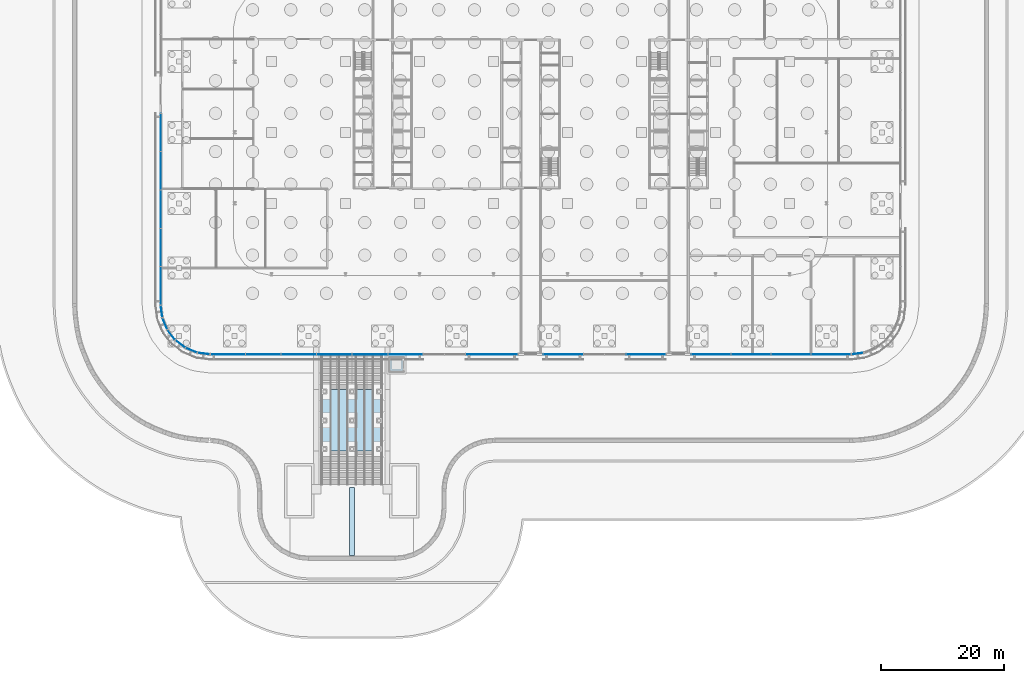
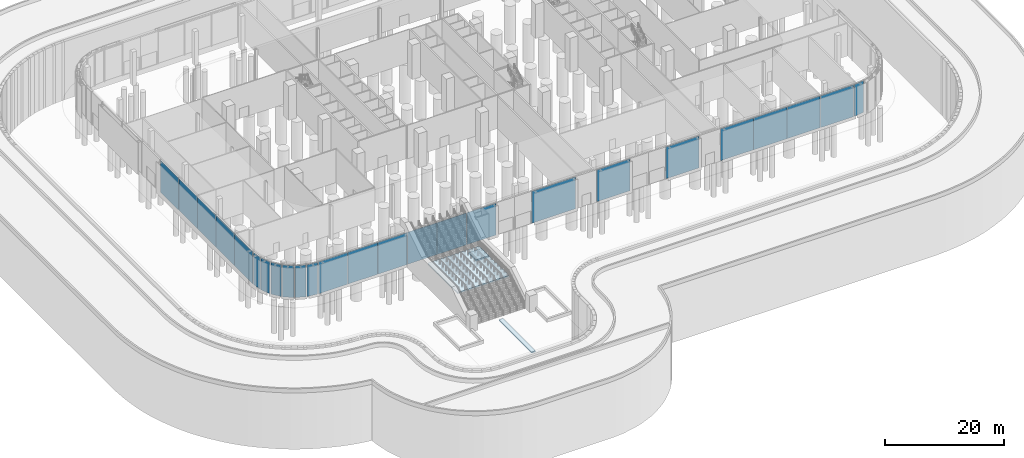
# One storey, part 14 of 48: 26 plates, 2 slabs, 14 elements without a shape of their own.
"""IFC4 building model written with IfcOpenShell, lengths in metres."""

import ifcopenshell
import ifcopenshell.guid

model = None  # the IFC model being written
_history = None  # IfcOwnerHistory: only IFC2X3 demands one
_inside = {}  # id of a spatial element -> (the spatial element, [elements in it])
_under = {}  # id of a project, library or spatial element -> (it, [spatial elements below it])
_declared = {}  # id of a project -> (the project, [libraries it declares])
_typed = {}  # id of a type object -> (the type object, [elements of that type])
_made_of = {}  # id of a material, layer set ... -> (it, [elements and type objects made of it])


def new_model(schema):
    """Start an empty IFC model of exactly this schema.

    Asked for "IFC4X3", IfcOpenShell would pick the latest addendum, in which some entities
    have other attributes; the version numbers below select the first issue.
    IFC2X3 requires an IfcOwnerHistory on every rooted entity: one is made here for all.
    """
    global model, _history
    if schema == "IFC4X3":
        model = ifcopenshell.file(schema_version=(4, 3, 0, 0))
    else:
        model = ifcopenshell.file(schema=schema)
    _inside.clear()
    _under.clear()
    _declared.clear()
    _typed.clear()
    _made_of.clear()
    _history = None
    if model.schema == "IFC2X3":
        org = make("IfcOrganization", Name="unknown")
        user = make(
            "IfcPersonAndOrganization",
            ThePerson=make("IfcPerson", FamilyName="unknown"),
            TheOrganization=org,
        )
        app = make(
            "IfcApplication",
            ApplicationDeveloper=org,
            Version="unknown",
            ApplicationFullName="unknown",
            ApplicationIdentifier="unknown",
        )
        _history = make(
            "IfcOwnerHistory",
            OwningUser=user,
            OwningApplication=app,
            ChangeAction="ADDED",
            CreationDate=0,
        )
    return model


def make(cls, **values):
    """One entity of the class cls with the attributes given. An attribute that is None is left unset."""
    return model.create_entity(
        cls, **{name: value for name, value in values.items() if value is not None}
    )


def rooted(cls, **values):
    """An entity with a GlobalId (a new one), such as an element, a storey or a relation."""
    return make(cls, GlobalId=ifcopenshell.guid.new(), OwnerHistory=_history, **values)


def si_unit(unit_type, name, prefix=None):
    """IfcSIUnit, for example si_unit("LENGTHUNIT", "METRE", prefix="MILLI")."""
    return make("IfcSIUnit", UnitType=unit_type, Prefix=prefix, Name=name)


def assignment(units):
    """IfcUnitAssignment: the units of a project."""
    return None if units is None else make("IfcUnitAssignment", Units=units)


def point(xyz):
    """IfcCartesianPoint."""
    return None if xyz is None else make("IfcCartesianPoint", Coordinates=xyz)


def direction(xyz):
    """IfcDirection."""
    return None if xyz is None else make("IfcDirection", DirectionRatios=xyz)


def frame(location, z_axis=None, x_axis=None):
    """IfcAxis2Placement3D, a coordinate frame: its origin and axes. An axis left out is left unset."""
    return make(
        "IfcAxis2Placement3D",
        Location=point(location),
        Axis=direction(z_axis),
        RefDirection=direction(x_axis),
    )


def frame_2d(location, x_axis=None):
    """IfcAxis2Placement2D, a coordinate frame in the plane: its origin and x axis."""
    return make(
        "IfcAxis2Placement2D", Location=point(location), RefDirection=direction(x_axis)
    )


def origin():
    """The frame at (0, 0, 0) with its axes left unset."""
    return frame((0.0, 0.0, 0.0))


def origin_2d():
    """The frame at (0, 0) in the plane with its x axis left unset."""
    return frame_2d((0.0, 0.0))


def place(relative_to, where):
    """IfcLocalPlacement: puts the frame where relative to a parent placement (None: the world)."""
    return make(
        "IfcLocalPlacement", PlacementRelTo=relative_to, RelativePlacement=where
    )


def context(
    kind, dimensions, precision=None, world=None, true_north=None, identifier=None
):
    """IfcGeometricRepresentationContext, for example the 3D "Model" context."""
    return make(
        "IfcGeometricRepresentationContext",
        ContextIdentifier=identifier,
        ContextType=kind,
        CoordinateSpaceDimension=dimensions,
        Precision=precision,
        WorldCoordinateSystem=world,
        TrueNorth=true_north,
    )


def subcontext(parent, identifier, kind, view, scale=None):
    """IfcGeometricRepresentationSubContext, for example "Body" below "Model"."""
    return make(
        "IfcGeometricRepresentationSubContext",
        ContextIdentifier=identifier,
        ContextType=kind,
        ParentContext=parent,
        TargetScale=scale,
        TargetView=view,
    )


def project(units=None, contexts=None):
    """IfcProject with its units and contexts."""
    return rooted(
        "IfcProject",
        Name="project",
        RepresentationContexts=contexts,
        UnitsInContext=assignment(units),
    )


def spatial(cls, under=None, at=None, **own):
    """A site, building, storey or space (cls), placed at a placement, below another one or the project."""
    s = rooted(cls, ObjectPlacement=at, **own)
    if under is not None:
        _under.setdefault(under.id(), (under, []))[1].append(s)
    return s


def polyline(points):
    """IfcPolyline through the points."""
    return make("IfcPolyline", Points=[point(p) for p in points])


def profile(cls, at=None, kind="AREA", **sizes):
    """A parametric profile (cls). Its sizes go by their IFC names, for example OverallWidth=200.0."""
    return make(cls, ProfileType=kind, Position=at, **sizes)


def rectangle(**sizes):
    """IfcRectangleProfileDef."""
    return profile("IfcRectangleProfileDef", **sizes)


def outline(outer, holes=None, kind="AREA"):
    """IfcArbitraryClosedProfileDef: a profile drawn as a closed curve; with holes, ...WithVoids."""
    if holes is None:
        return make("IfcArbitraryClosedProfileDef", ProfileType=kind, OuterCurve=outer)
    return make(
        "IfcArbitraryProfileDefWithVoids",
        ProfileType=kind,
        OuterCurve=outer,
        InnerCurves=holes,
    )


def extrude(swept, where, along, depth):
    """IfcExtrudedAreaSolid: the profile swept, set in the frame where, extruded along a direction by depth."""
    return make(
        "IfcExtrudedAreaSolid",
        SweptArea=swept,
        Position=where,
        ExtrudedDirection=direction(along),
        Depth=depth,
    )


def shape(context_of_items, identifier, shape_type, items):
    """IfcShapeRepresentation: the items that make up one representation, for example the "Body"."""
    return make(
        "IfcShapeRepresentation",
        ContextOfItems=context_of_items,
        RepresentationIdentifier=identifier,
        RepresentationType=shape_type,
        Items=items,
    )


def material(Name=None, Category=None):
    """IfcMaterial."""
    return make("IfcMaterial", Name=Name, Category=Category)


def layer(
    of_material, thickness, ventilated=None, Name=None, Category=None, Priority=None
):
    """IfcMaterialLayer: one layer of a wall or slab, of a material (None: an air gap)."""
    return make(
        "IfcMaterialLayer",
        Material=of_material,
        LayerThickness=thickness,
        IsVentilated=ventilated,
        Name=Name,
        Category=Category,
        Priority=Priority,
    )


def layer_set(layers, Name=None):
    """IfcMaterialLayerSet."""
    return make("IfcMaterialLayerSet", MaterialLayers=layers, LayerSetName=Name)


def made_of(thing, what):
    """Note that an element or type object is made of a material, layer set ...; save() writes the relation."""
    if what is not None:
        _made_of.setdefault(what.id(), (what, []))[1].append(thing)
    return thing


def type_object(cls, material=None, **own):
    """A type object (cls), such as IfcWallType, which elements share."""
    return made_of(rooted(cls, **own), material)


def element(
    cls,
    number,
    at=None,
    inside=None,
    cuts=None,
    type_object=None,
    material=None,
    context=None,
    identifier="Body",
    shape_type=None,
    held_by="IfcProductDefinitionShape",
    body=None,
    shapes=None,
    **own,
):
    """One element of the class cls, such as IfcWall. Its Tag is "e" and its number.

    at: its placement. inside: the storey or other place that contains it. cuts: it is an
    opening in that element (IfcRelVoidsElement). A single representation is given by context,
    identifier, shape_type and body (its items); several are given by shapes. held_by: the class
    of the entity that holds the representations. save() writes the other relations.
    """
    e = rooted(cls, Tag="e%d" % number, ObjectPlacement=at, **own)
    if body is not None:
        shapes = [shape(context, identifier, shape_type, body)]
    if shapes is not None:
        e.Representation = make(held_by, Representations=shapes)
    if inside is not None:
        _inside.setdefault(inside.id(), (inside, []))[1].append(e)
    if cuts is not None:
        rooted(
            "IfcRelVoidsElement", RelatingBuildingElement=cuts, RelatedOpeningElement=e
        )
    if type_object is not None:
        _typed.setdefault(type_object.id(), (type_object, []))[1].append(e)
    return made_of(e, material)


def aggregate(whole, parts):
    """IfcRelAggregates: a whole, such as a stair, and the parts it consists of."""
    return rooted("IfcRelAggregates", RelatingObject=whole, RelatedObjects=parts)


def save(model, path):
    """Write the relations noted so far, then the file.

    IfcRelAggregates (storeys below a building ...), IfcRelContainedInSpatialStructure (elements
    in a storey), IfcRelDefinesByType, IfcRelAssociatesMaterial and IfcRelDeclares: one each for
    every whole, place, type object, material and project.
    """
    for whole, parts in _under.values():
        aggregate(whole, parts)
    for where, things in _inside.values():
        rooted(
            "IfcRelContainedInSpatialStructure",
            RelatedElements=things,
            RelatingStructure=where,
        )
    for kind, things in _typed.values():
        rooted("IfcRelDefinesByType", RelatedObjects=things, RelatingType=kind)
    for what, things in _made_of.values():
        rooted("IfcRelAssociatesMaterial", RelatedObjects=things, RelatingMaterial=what)
    for by, libraries in _declared.values():
        rooted("IfcRelDeclares", RelatingContext=by, RelatedDefinitions=libraries)
    model.write(path)


model = new_model("IFC4")

# Units and contexts
model_context = context("Model", 3, precision=1e-05, world=origin(), true_north=direction((0.0, 1.0)))
body_context = subcontext(model_context, "Body", "Model", "MODEL_VIEW")
ifc_project = project(units=[si_unit("LENGTHUNIT", "METRE"), si_unit("AREAUNIT", "SQUARE_METRE"), si_unit("VOLUMEUNIT", "CUBIC_METRE"), si_unit("PLANEANGLEUNIT", "RADIAN"), si_unit("MASSUNIT", "GRAM", prefix="KILO")], contexts=[model_context])

# Site, building, storey
site_placement = place(None, origin())
site = spatial("IfcSite", under=ifc_project, at=site_placement, CompositionType="ELEMENT")
building_placement = place(site_placement, origin())
building = spatial("IfcBuilding", under=site, at=building_placement, Name="Mahtab Terrace Research Tower", CompositionType="ELEMENT")
storey_placement = place(building_placement, origin())
storey = spatial("IfcBuildingStorey", under=building, at=storey_placement, Name="G", CompositionType="ELEMENT", Elevation=0.0)

# Plate
ifc_material_1 = material(Name="Water feature lining")
ifc_layer_1 = layer(ifc_material_1, 0.25)
ifc_layer_set_1 = layer_set([ifc_layer_1], Name="Forecourt rill lining 800")
plate_type_1 = type_object("IfcPlateType", Name="Forecourt rill lining 800", PredefinedType="USERDEFINED", material=ifc_layer_set_1)
plate_1_placement = place(storey_placement, frame((0.0, 0.0, -0.31005859375)))
element("IfcPlate", 1, at=plate_1_placement, inside=storey, type_object=plate_type_1, Name="Forecourt rill 1", ObjectType="WATER CHANNEL", PredefinedType="USERDEFINED", context=body_context, shape_type="SweptSolid", body=[
    extrude(outline(polyline([(-29.39990234375, -68.614990234375), (-29.39990234375, -57.614990234375), (-28.60009765625, -57.614990234375), (-28.60009765625, -68.614990234375), (-29.39990234375, -68.614990234375)])), origin(), (0.0, 0.0, 1.0), 0.239990234375),
])

# Curtain wall, plates
ifc_material_2 = material(Name="Ground lobby curtain wall")
curtain_wall_type = type_object("IfcCurtainWallType", Name="Ground lobby curtain wall", PredefinedType="NOTDEFINED", material=ifc_material_2)
curtain_wall_1_placement = place(storey_placement, origin())
curtain_wall_1 = element("IfcCurtainWall", 2, at=curtain_wall_1_placement, inside=storey, type_object=curtain_wall_type, Name="EN.G.12.4", PredefinedType="NOTDEFINED")
ifc_material_3 = material(Name="Dark glazing", Category="glass")
ifc_layer_2 = layer(ifc_material_3, 0.0439453125)
ifc_layer_set_2 = layer_set([ifc_layer_2], Name="Ground lobby curtain wall glazing panel")
plate_type_2 = type_object("IfcPlateType", Name="Ground lobby curtain wall glazing panel", PredefinedType="CURTAIN_PANEL", material=ifc_layer_set_2)
plate_2_placement = place(storey_placement, frame((-60.0, 0.014892578125, 0.0), z_axis=(0.0, 0.0, 1.0), x_axis=(0.0, -1.0, 0.0)))
plate_2 = element("IfcPlate", 3, at=plate_2_placement, type_object=plate_type_2, Name="CWG-1 panel 1", PredefinedType="CURTAIN_PANEL", context=body_context, shape_type="SweptSolid", body=[
    extrude(rectangle(XDim=6.110107421875, YDim=0.0439453125, at=origin_2d()), origin(), (0.0, 0.0, 1.0), 6.56005859375),
])
plate_3_placement = place(storey_placement, frame((-60.0, -6.195068359375, 0.0), z_axis=(0.0, 0.0, 1.0), x_axis=(0.0, -1.0, 0.0)))
plate_3 = element("IfcPlate", 4, at=plate_3_placement, type_object=plate_type_2, Name="CWG-1 panel 2", PredefinedType="CURTAIN_PANEL", context=body_context, shape_type="SweptSolid", body=[
    extrude(rectangle(XDim=6.14990234375, YDim=0.0439453125, at=origin_2d()), origin(), (0.0, 0.0, 1.0), 6.56005859375),
])
plate_4_placement = place(storey_placement, frame((-60.0, -12.425048828125, 0.0), z_axis=(0.0, 0.0, 1.0), x_axis=(0.0, -1.0, 0.0)))
plate_4 = element("IfcPlate", 5, at=plate_4_placement, type_object=plate_type_2, Name="CWG-1 panel 3", PredefinedType="CURTAIN_PANEL", context=body_context, shape_type="SweptSolid", body=[
    extrude(rectangle(XDim=6.14990234375, YDim=0.0439453125, at=origin_2d()), origin(), (0.0, 0.0, 1.0), 6.56005859375),
])
plate_5_placement = place(storey_placement, frame((-60.0, -18.655029296875, 0.0), z_axis=(0.0, 0.0, 1.0), x_axis=(0.0, -1.0, 0.0)))
plate_5 = element("IfcPlate", 6, at=plate_5_placement, type_object=plate_type_2, Name="CWG-1 panel 4", PredefinedType="CURTAIN_PANEL", context=body_context, shape_type="SweptSolid", body=[
    extrude(rectangle(XDim=6.14990234375, YDim=0.0439453125, at=origin_2d()), origin(), (0.0, 0.0, 1.0), 6.56005859375),
])
plate_6_placement = place(storey_placement, frame((-60.0, -24.864990234375, 0.0), z_axis=(0.0, 0.0, 1.0), x_axis=(0.0, -1.0, 0.0)))
plate_6 = element("IfcPlate", 7, at=plate_6_placement, type_object=plate_type_2, Name="CWG-1 panel 5", PredefinedType="CURTAIN_PANEL", context=body_context, shape_type="SweptSolid", body=[
    extrude(rectangle(XDim=6.110107421875, YDim=0.0439453125, at=origin_2d()), origin(), (0.0, 0.0, 1.0), 6.56005859375),
])
aggregate(curtain_wall_1, [plate_2, plate_3, plate_4, plate_5, plate_6])

# Curtain wall, plate
curtain_wall_2_placement = place(storey_placement, origin())
curtain_wall_2 = element("IfcCurtainWall", 8, at=curtain_wall_2_placement, inside=storey, type_object=curtain_wall_type, Name="EN.G.13.0", PredefinedType="NOTDEFINED")
plate_7_placement = place(storey_placement, frame((-59.863525390625, -29.035400390625, 0.0), z_axis=(0.0, 0.0, 1.0), x_axis=(0.130689793992, -0.991423309059, 0.0)))
plate_7 = element("IfcPlate", 9, at=plate_7_placement, type_object=plate_type_2, Name="CWG-1 panel 1", PredefinedType="CURTAIN_PANEL", context=body_context, shape_type="SweptSolid", body=[
    extrude(rectangle(XDim=1.928955078125, YDim=0.0439453125, at=origin_2d()), origin(), (0.0, 0.0, 1.0), 6.56005859375),
])
aggregate(curtain_wall_2, [plate_7])

curtain_wall_3_placement = place(storey_placement, origin())
curtain_wall_3 = element("IfcCurtainWall", 10, at=curtain_wall_3_placement, inside=storey, type_object=curtain_wall_type, Name="EN.G.14.0", PredefinedType="NOTDEFINED")
plate_8_placement = place(storey_placement, frame((-59.327392578125, -31.035400390625, 0.0), z_axis=(0.0, 0.0, 1.0), x_axis=(0.382676089485, -0.923882573998, 0.0)))
plate_8 = element("IfcPlate", 11, at=plate_8_placement, type_object=plate_type_2, Name="CWG-1 panel 1", PredefinedType="CURTAIN_PANEL", context=body_context, shape_type="SweptSolid", body=[
    extrude(rectangle(XDim=1.927978515625, YDim=0.0439453125, at=origin_2d()), origin(), (0.0, 0.0, 1.0), 6.56005859375),
])
aggregate(curtain_wall_3, [plate_8])

curtain_wall_4_placement = place(storey_placement, origin())
curtain_wall_4 = element("IfcCurtainWall", 12, at=curtain_wall_4_placement, inside=storey, type_object=curtain_wall_type, Name="EN.G.15.0", PredefinedType="NOTDEFINED")
plate_9_placement = place(storey_placement, frame((-58.29248046875, -32.82861328125, 0.0), z_axis=(0.0, 0.0, 1.0), x_axis=(0.60862253119, -0.793459901021, 0.0)))
plate_9 = element("IfcPlate", 13, at=plate_9_placement, type_object=plate_type_2, Name="CWG-1 panel 1", PredefinedType="CURTAIN_PANEL", context=body_context, shape_type="SweptSolid", body=[
    extrude(rectangle(XDim=1.92822265625, YDim=0.0439453125, at=origin_2d()), origin(), (0.0, 0.0, 1.0), 6.56005859375),
])
aggregate(curtain_wall_4, [plate_9])

curtain_wall_5_placement = place(storey_placement, origin())
curtain_wall_5 = element("IfcCurtainWall", 14, at=curtain_wall_5_placement, inside=storey, type_object=curtain_wall_type, Name="EN.G.16.0", PredefinedType="NOTDEFINED")
plate_10_placement = place(storey_placement, frame((-56.82861328125, -34.29248046875, 0.0), z_axis=(0.0, 0.0, 1.0), x_axis=(0.793459901021, -0.60862253119, 0.0)))
plate_10 = element("IfcPlate", 15, at=plate_10_placement, type_object=plate_type_2, Name="CWG-1 panel 1", PredefinedType="CURTAIN_PANEL", context=body_context, shape_type="SweptSolid", body=[
    extrude(rectangle(XDim=1.92822265625, YDim=0.0439453125, at=origin_2d()), origin(), (0.0, 0.0, 1.0), 6.56005859375),
])
aggregate(curtain_wall_5, [plate_10])

curtain_wall_6_placement = place(storey_placement, origin())
curtain_wall_6 = element("IfcCurtainWall", 16, at=curtain_wall_6_placement, inside=storey, type_object=curtain_wall_type, Name="EN.G.17.0", PredefinedType="NOTDEFINED")
plate_11_placement = place(storey_placement, frame((-55.035400390625, -35.327392578125, 0.0), z_axis=(0.0, 0.0, 1.0), x_axis=(0.923882573998, -0.382676089485, 0.0)))
plate_11 = element("IfcPlate", 17, at=plate_11_placement, type_object=plate_type_2, Name="CWG-1 panel 1", PredefinedType="CURTAIN_PANEL", context=body_context, shape_type="SweptSolid", body=[
    extrude(rectangle(XDim=1.927978515625, YDim=0.0439453125, at=origin_2d()), origin(), (0.0, 0.0, 1.0), 6.56005859375),
])
aggregate(curtain_wall_6, [plate_11])

curtain_wall_7_placement = place(storey_placement, origin())
curtain_wall_7 = element("IfcCurtainWall", 18, at=curtain_wall_7_placement, inside=storey, type_object=curtain_wall_type, Name="EN.G.18.0", PredefinedType="NOTDEFINED")
plate_12_placement = place(storey_placement, frame((-53.035400390625, -35.863525390625, 0.0), z_axis=(0.0, 0.0, 1.0), x_axis=(0.991423309059, -0.130689793992, 0.0)))
plate_12 = element("IfcPlate", 19, at=plate_12_placement, type_object=plate_type_2, Name="CWG-1 panel 1", PredefinedType="CURTAIN_PANEL", context=body_context, shape_type="SweptSolid", body=[
    extrude(rectangle(XDim=1.928955078125, YDim=0.0439453125, at=origin_2d()), origin(), (0.0, 0.0, 1.0), 6.56005859375),
])
aggregate(curtain_wall_7, [plate_12])

# Curtain wall, plates
curtain_wall_8_placement = place(storey_placement, origin())
curtain_wall_8 = element("IfcCurtainWall", 20, at=curtain_wall_8_placement, inside=storey, type_object=curtain_wall_type, Name="EN.G.19.0", PredefinedType="NOTDEFINED")
plate_13_placement = place(storey_placement, frame((-49.0966796875, -36.0, 0.0), z_axis=(0.0, 0.0, 1.0), x_axis=(1.0, 0.0, 0.0)))
plate_13 = element("IfcPlate", 21, at=plate_13_placement, type_object=plate_type_2, Name="CWG-1 panel 1", PredefinedType="CURTAIN_PANEL", context=body_context, shape_type="SweptSolid", body=[
    extrude(rectangle(XDim=5.646728515625, YDim=0.0439453125, at=origin_2d()), origin(), (0.0, 0.0, 1.0), 6.56005859375),
])
plate_14_placement = place(storey_placement, frame((-43.35009765625, -36.0, 0.0), z_axis=(0.0, 0.0, 1.0), x_axis=(1.0, 0.0, 0.0)))
plate_14 = element("IfcPlate", 22, at=plate_14_placement, type_object=plate_type_2, Name="CWG-1 panel 2", PredefinedType="CURTAIN_PANEL", context=body_context, shape_type="SweptSolid", body=[
    extrude(rectangle(XDim=5.686767578125, YDim=0.0439453125, at=origin_2d()), origin(), (0.0, 0.0, 1.0), 6.56005859375),
])
plate_15_placement = place(storey_placement, frame((-37.583251953125, -36.0, 0.0), z_axis=(0.0, 0.0, 1.0), x_axis=(1.0, 0.0, 0.0)))
plate_15 = element("IfcPlate", 23, at=plate_15_placement, type_object=plate_type_2, Name="CWG-1 panel 3", PredefinedType="CURTAIN_PANEL", context=body_context, shape_type="SweptSolid", body=[
    extrude(rectangle(XDim=5.686767578125, YDim=0.0439453125, at=origin_2d()), origin(), (0.0, 0.0, 1.0), 6.56005859375),
])
plate_16_placement = place(storey_placement, frame((-31.816650390625, -36.0, 0.0), z_axis=(0.0, 0.0, 1.0), x_axis=(1.0, 0.0, 0.0)))
plate_16 = element("IfcPlate", 24, at=plate_16_placement, type_object=plate_type_2, Name="CWG-1 panel 4", PredefinedType="CURTAIN_PANEL", context=body_context, shape_type="SweptSolid", body=[
    extrude(rectangle(XDim=5.686767578125, YDim=0.0439453125, at=origin_2d()), origin(), (0.0, 0.0, 1.0), 6.56005859375),
])
plate_17_placement = place(storey_placement, frame((-26.050048828125, -36.0, 0.0), z_axis=(0.0, 0.0, 1.0), x_axis=(1.0, 0.0, 0.0)))
plate_17 = element("IfcPlate", 25, at=plate_17_placement, type_object=plate_type_2, Name="CWG-1 panel 5", PredefinedType="CURTAIN_PANEL", context=body_context, shape_type="SweptSolid", body=[
    extrude(rectangle(XDim=5.686767578125, YDim=0.0439453125, at=origin_2d()), origin(), (0.0, 0.0, 1.0), 6.56005859375),
])
plate_18_placement = place(storey_placement, frame((-20.30322265625, -36.0, 0.0), z_axis=(0.0, 0.0, 1.0), x_axis=(1.0, 0.0, 0.0)))
plate_18 = element("IfcPlate", 26, at=plate_18_placement, type_object=plate_type_2, Name="CWG-1 panel 6", PredefinedType="CURTAIN_PANEL", context=body_context, shape_type="SweptSolid", body=[
    extrude(rectangle(XDim=5.646728515625, YDim=0.0439453125, at=origin_2d()), origin(), (0.0, 0.0, 1.0), 6.56005859375),
])
aggregate(curtain_wall_8, [plate_13, plate_14, plate_15, plate_16, plate_17, plate_18])

# Curtain wall, plate
curtain_wall_9_placement = place(storey_placement, origin())
curtain_wall_9 = element("IfcCurtainWall", 27, at=curtain_wall_9_placement, inside=storey, type_object=curtain_wall_type, Name="EN.G.19.3", PredefinedType="NOTDEFINED")
plate_19_placement = place(storey_placement, frame((-6.300048828125, -36.0, 0.0), z_axis=(0.0, 0.0, 1.0), x_axis=(1.0, 0.0, 0.0)))
plate_19 = element("IfcPlate", 28, at=plate_19_placement, type_object=plate_type_2, Name="CWG-1 panel 1", PredefinedType="CURTAIN_PANEL", context=body_context, shape_type="SweptSolid", body=[
    extrude(rectangle(XDim=8.43994140625, YDim=0.0439453125, at=origin_2d()), origin(), (0.0, 0.0, 1.0), 6.56005859375),
])
aggregate(curtain_wall_9, [plate_19])

curtain_wall_10_placement = place(storey_placement, origin())
curtain_wall_10 = element("IfcCurtainWall", 29, at=curtain_wall_10_placement, inside=storey, type_object=curtain_wall_type, Name="EN.G.19.5", PredefinedType="NOTDEFINED")
plate_20_placement = place(storey_placement, frame((5.300048828125, -36.0, 0.0), z_axis=(0.0, 0.0, 1.0), x_axis=(1.0, 0.0, 0.0)))
plate_20 = element("IfcPlate", 30, at=plate_20_placement, type_object=plate_type_2, Name="CWG-1 panel 1", PredefinedType="CURTAIN_PANEL", context=body_context, shape_type="SweptSolid", body=[
    extrude(rectangle(XDim=6.43994140625, YDim=0.0439453125, at=origin_2d()), origin(), (0.0, 0.0, 1.0), 6.56005859375),
])
aggregate(curtain_wall_10, [plate_20])

curtain_wall_11_placement = place(storey_placement, origin())
curtain_wall_11 = element("IfcCurtainWall", 31, at=curtain_wall_11_placement, inside=storey, type_object=curtain_wall_type, Name="EN.G.19.8", PredefinedType="NOTDEFINED")
plate_21_placement = place(storey_placement, frame((18.699951171875, -36.0, 0.0), z_axis=(0.0, 0.0, 1.0), x_axis=(1.0, 0.0, 0.0)))
plate_21 = element("IfcPlate", 32, at=plate_21_placement, type_object=plate_type_2, Name="CWG-1 panel 1", PredefinedType="CURTAIN_PANEL", context=body_context, shape_type="SweptSolid", body=[
    extrude(rectangle(XDim=6.43994140625, YDim=0.0439453125, at=origin_2d()), origin(), (0.0, 0.0, 1.0), 6.56005859375),
])
aggregate(curtain_wall_11, [plate_21])

# Curtain wall, plates
curtain_wall_12_placement = place(storey_placement, origin())
curtain_wall_12 = element("IfcCurtainWall", 33, at=curtain_wall_12_placement, inside=storey, type_object=curtain_wall_type, Name="EN.G.19.10", PredefinedType="NOTDEFINED")
plate_22_placement = place(storey_placement, frame((29.27001953125, -36.0, 0.0), z_axis=(0.0, 0.0, 1.0), x_axis=(1.0, 0.0, 0.0)))
plate_22 = element("IfcPlate", 34, at=plate_22_placement, type_object=plate_type_2, Name="CWG-1 panel 1", PredefinedType="CURTAIN_PANEL", context=body_context, shape_type="SweptSolid", body=[
    extrude(rectangle(XDim=6.3798828125, YDim=0.0439453125, at=origin_2d()), origin(), (0.0, 0.0, 1.0), 6.56005859375),
])
plate_23_placement = place(storey_placement, frame((35.75, -36.0, 0.0), z_axis=(0.0, 0.0, 1.0), x_axis=(1.0, 0.0, 0.0)))
plate_23 = element("IfcPlate", 35, at=plate_23_placement, type_object=plate_type_2, Name="CWG-1 panel 2", PredefinedType="CURTAIN_PANEL", context=body_context, shape_type="SweptSolid", body=[
    extrude(rectangle(XDim=6.419921875, YDim=0.0439453125, at=origin_2d()), origin(), (0.0, 0.0, 1.0), 6.56005859375),
])
plate_24_placement = place(storey_placement, frame((42.25, -36.0, 0.0), z_axis=(0.0, 0.0, 1.0), x_axis=(1.0, 0.0, 0.0)))
plate_24 = element("IfcPlate", 36, at=plate_24_placement, type_object=plate_type_2, Name="CWG-1 panel 3", PredefinedType="CURTAIN_PANEL", context=body_context, shape_type="SweptSolid", body=[
    extrude(rectangle(XDim=6.419921875, YDim=0.0439453125, at=origin_2d()), origin(), (0.0, 0.0, 1.0), 6.56005859375),
])
plate_25_placement = place(storey_placement, frame((48.72998046875, -36.0, 0.0), z_axis=(0.0, 0.0, 1.0), x_axis=(1.0, 0.0, 0.0)))
plate_25 = element("IfcPlate", 37, at=plate_25_placement, type_object=plate_type_2, Name="CWG-1 panel 4", PredefinedType="CURTAIN_PANEL", context=body_context, shape_type="SweptSolid", body=[
    extrude(rectangle(XDim=6.3798828125, YDim=0.0439453125, at=origin_2d()), origin(), (0.0, 0.0, 1.0), 6.56005859375),
])
aggregate(curtain_wall_12, [plate_22, plate_23, plate_24, plate_25])

# Curtain wall, plate
curtain_wall_13_placement = place(storey_placement, origin())
curtain_wall_13 = element("IfcCurtainWall", 38, at=curtain_wall_13_placement, inside=storey, type_object=curtain_wall_type, Name="EN.G.20.0", PredefinedType="NOTDEFINED")
plate_26_placement = place(storey_placement, frame((53.035400390625, -35.863525390625, 0.0), z_axis=(0.0, 0.0, 1.0), x_axis=(0.991423309059, 0.130689793992, 0.0)))
plate_26 = element("IfcPlate", 39, at=plate_26_placement, type_object=plate_type_2, Name="CWG-1 panel 1", PredefinedType="CURTAIN_PANEL", context=body_context, shape_type="SweptSolid", body=[
    extrude(rectangle(XDim=1.928955078125, YDim=0.0439453125, at=origin_2d()), origin(), (0.0, 0.0, 1.0), 6.56005859375),
])
aggregate(curtain_wall_13, [plate_26])

# Stair, slab
ifc_material_4 = material(Name="Public deck stair")
stair_type = type_object("IfcStairType", Name="Public deck stair", PredefinedType="STRAIGHT_RUN_STAIR", material=ifc_material_4)
stair_placement = place(storey_placement, origin())
stair = element("IfcStair", 40, at=stair_placement, inside=storey, type_object=stair_type, Name="Public deck stair PS1", PredefinedType="STRAIGHT_RUN_STAIR")
ifc_material_5 = material(Name="Concrete C40/50", Category="concrete")
ifc_layer_3 = layer(ifc_material_5, 0.300048828125)
ifc_layer_set_3 = layer_set([ifc_layer_3], Name="Public deck stair landing 300")
slab_type_1 = type_object("IfcSlabType", Name="Public deck stair landing 300", PredefinedType="LANDING", material=ifc_layer_set_3)
slab_1_placement = place(storey_placement, frame((0.0, 0.0, 3.212158203125)))
slab_1 = element("IfcSlab", 41, at=slab_1_placement, type_object=slab_type_1, Name="PS1 landing 1", PredefinedType="LANDING", context=body_context, shape_type="SweptSolid", body=[
    extrude(outline(polyline([(-34.0, -51.699951171875), (-24.0, -51.699951171875), (-24.0, -41.699951171875), (-34.0, -41.699951171875), (-34.0, -51.699951171875)])), origin(), (0.0, 0.0, 1.0), 0.300048828125),
])
aggregate(stair, [slab_1])

# Slab
ifc_layer_4 = layer(ifc_material_5, 0.300048828125)
ifc_layer_set_4 = layer_set([ifc_layer_4], Name="Public lift pit slab 300")
slab_type_2 = type_object("IfcSlabType", Name="Public lift pit slab 300", PredefinedType="BASESLAB", material=ifc_layer_set_4)
slab_2_placement = place(storey_placement, frame((0.0, 0.0, -1.699951171875)))
element("IfcSlab", 42, at=slab_2_placement, inside=storey, type_object=slab_type_2, Name="Public lift pit slab", PredefinedType="BASESLAB", context=body_context, shape_type="SweptSolid", body=[
    extrude(outline(polyline([(-23.0, -38.89990234375), (-20.5, -38.89990234375), (-20.5, -36.39990234375), (-23.0, -36.39990234375), (-23.0, -38.89990234375)])), origin(), (0.0, 0.0, 1.0), 0.300048828125),
])

save(model, "model.ifc")
